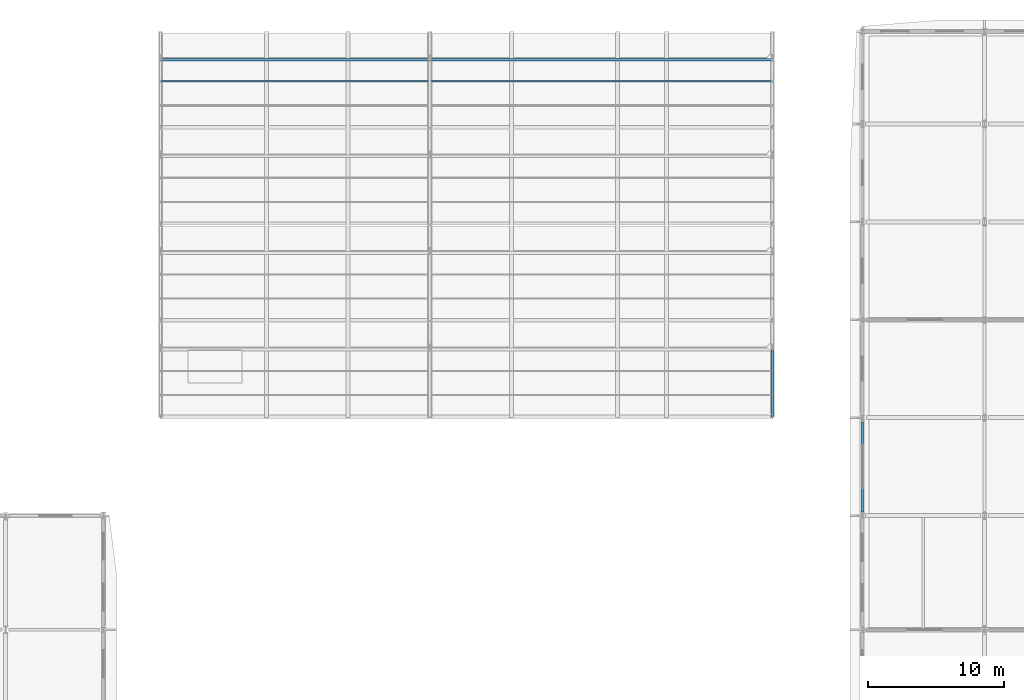
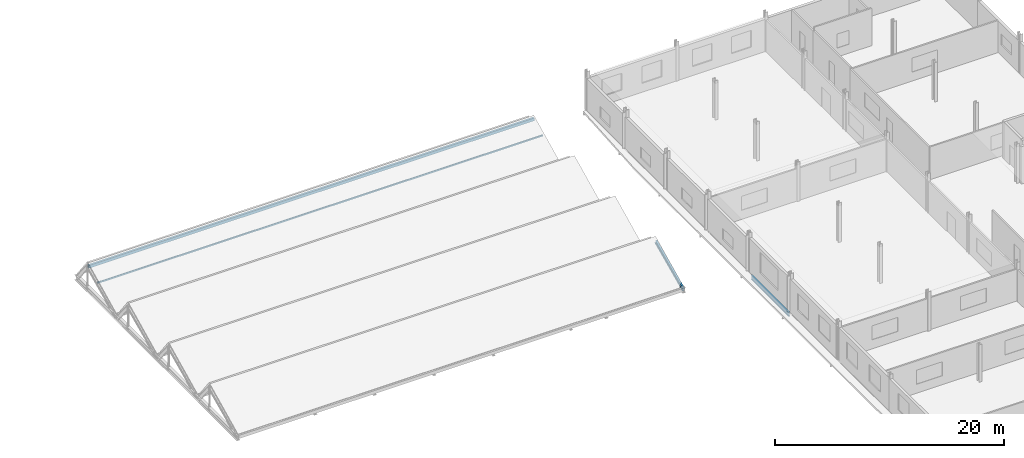
# One storey, part 80 of 138: 2 beams, 2 members.
"""IFC4 building model written with IfcOpenShell, lengths in metres."""

from ifc_helpers import new_model, si_unit, direction, frame, origin, origin_2d, place, context, subcontext, project, spatial, hollow_rectangle, i_section, extrude, material, material_profile, profile_set, type_object, element, save


model = new_model("IFC4")

# Units and contexts
model_context = context("Model", 3, precision=1e-05, world=origin(), true_north=direction((0.0, 1.0)))
body_context = subcontext(model_context, "Body", "Model", "MODEL_VIEW")
ifc_project = project(units=[si_unit("LENGTHUNIT", "METRE"), si_unit("AREAUNIT", "SQUARE_METRE"), si_unit("VOLUMEUNIT", "CUBIC_METRE"), si_unit("PLANEANGLEUNIT", "RADIAN"), si_unit("MASSUNIT", "GRAM", prefix="KILO")], contexts=[model_context])

# Site, building, storey
site_placement = place(None, origin())
site = spatial("IfcSite", under=ifc_project, at=site_placement, CompositionType="ELEMENT")
building_placement = place(site_placement, origin())
building = spatial("IfcBuilding", under=site, at=building_placement, Name="Vinh Khe Railworks Police Headquarters", CompositionType="ELEMENT")
storey_placement = place(building_placement, frame((0.0, 0.0, 9.0)))
storey = spatial("IfcBuildingStorey", under=building, at=storey_placement, Name="L02", CompositionType="ELEMENT", Elevation=9.0)

# Member
ifc_material = material(Name="Steel S355JR", Category="steel")
ifc_material_profile_1 = material_profile(ifc_material, hollow_rectangle(XDim=0.10009765625, YDim=0.14990234375, WallThickness=0.008056640625, at=origin_2d()), Name="RHS 150x100x8")
ifc_profile_set_1 = profile_set([ifc_material_profile_1], Name="Steel S355JR")
member_type_1 = type_object("IfcMemberType", Name="Roof Purlin RHS 150x100x8", PredefinedType="PURLIN", material=ifc_profile_set_1)
member_1_placement = place(storey_placement, frame((26.39990234375, 162.735595703125, 1.761962890625), z_axis=(1.0, 0.0, 0.0), x_axis=(0.0, 1.0, 0.0)))
element("IfcMember", 1, at=member_1_placement, inside=storey, type_object=member_type_1, Name="Sawtooth Roof Purlin 064", PredefinedType="PURLIN", context=body_context, shape_type="SweptSolid", body=[
    extrude(hollow_rectangle(XDim=0.10009765625, YDim=0.14990234375, WallThickness=0.008056640625, at=origin_2d()), origin(), (0.0, 0.0, 1.0), 45.0),
])

# Beams
ifc_material_profile_2 = material_profile(ifc_material, i_section(OverallWidth=0.169921875, OverallDepth=0.360107421875, WebThickness=0.008056640625, FlangeThickness=0.0126953125, FilletRadius=0.01806640625, at=origin_2d()), Name="IPE 360")
ifc_profile_set_2 = profile_set([ifc_material_profile_2], Name="Steel S355JR")
beam_type_1 = type_object("IfcBeamType", Name="Steel Girder IPE 360", PredefinedType="BEAM", material=ifc_profile_set_2)
beam_1_placement = place(storey_placement, frame((71.39990234375, 138.1201171875, 0.179931640625), z_axis=(0.0, 0.908174250162, 0.418592321171), x_axis=(-1.0, 0.0, 0.0)))
element("IfcBeam", 2, at=beam_1_placement, inside=storey, type_object=beam_type_1, Name="Sawtooth Slope Girder 1S", PredefinedType="BEAM", context=body_context, shape_type="SweptSolid", body=[
    extrude(i_section(OverallWidth=0.169921875, OverallDepth=0.360107421875, WebThickness=0.008056640625, FlangeThickness=0.0126953125, FilletRadius=0.01806640625, at=origin_2d()), origin(), (0.0, 0.0, 1.0), 5.351318359375),
])
ifc_material_profile_3 = material_profile(ifc_material, i_section(OverallWidth=0.18994140625, OverallDepth=0.449951171875, WebThickness=0.009521484375, FlangeThickness=0.0146484375, FilletRadius=0.02099609375, at=origin_2d()), Name="IPE 450")
ifc_profile_set_3 = profile_set([ifc_material_profile_3], Name="Steel S355JR")
beam_type_2 = type_object("IfcBeamType", Name="Steel Girder IPE 450", PredefinedType="BEAM", material=ifc_profile_set_3)
beam_2_placement = place(storey_placement, frame((78.0, 131.054931640625, -0.445068359375), z_axis=(0.0, 1.0, 0.0), x_axis=(-1.0, 0.0, 0.0)))
element("IfcBeam", 3, at=beam_2_placement, inside=storey, type_object=beam_type_2, Name="Girder BM-L02-NS-SB-20-0978", PredefinedType="BEAM", context=body_context, shape_type="SweptSolid", body=[
    extrude(i_section(OverallWidth=0.18994140625, OverallDepth=0.449951171875, WebThickness=0.009521484375, FlangeThickness=0.0146484375, FilletRadius=0.02099609375, at=origin_2d()), origin(), (0.0, 0.0, 1.0), 6.614990234375),
])

# Member
ifc_material_profile_4 = material_profile(ifc_material, hollow_rectangle(XDim=0.199951171875, YDim=0.300048828125, WallThickness=0.012451171875, at=origin_2d()), Name="RHS 300x200x12.5")
ifc_profile_set_4 = profile_set([ifc_material_profile_4], Name="Steel S355JR")
member_type_2 = type_object("IfcMemberType", Name="Truss Chord RHS 300x200x12.5", PredefinedType="CHORD", material=ifc_profile_set_4)
member_2_placement = place(storey_placement, frame((26.39990234375, 164.320068359375, 2.550048828125), z_axis=(1.0, 0.0, 0.0), x_axis=(0.0, 1.0, 0.0)))
element("IfcMember", 4, at=member_2_placement, inside=storey, type_object=member_type_2, Name="Sawtooth Truss TOP Chord 4", PredefinedType="CHORD", context=body_context, shape_type="SweptSolid", body=[
    extrude(hollow_rectangle(XDim=0.199951171875, YDim=0.300048828125, WallThickness=0.012451171875, at=origin_2d()), origin(), (0.0, 0.0, 1.0), 45.0),
])

save(model, "model.ifc")
